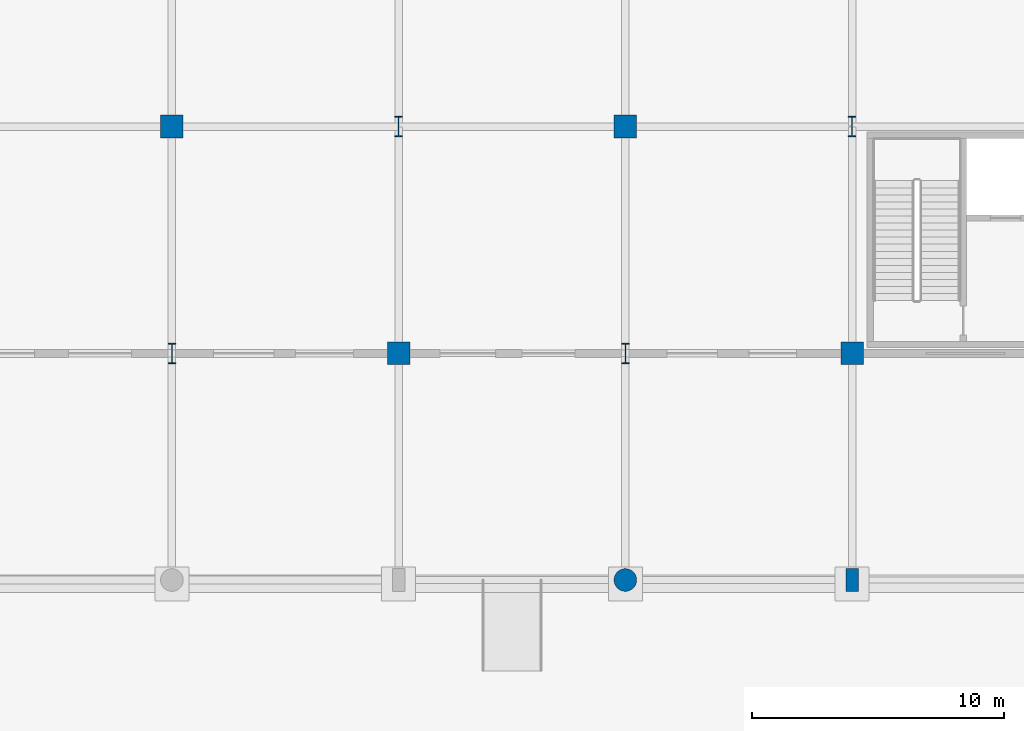
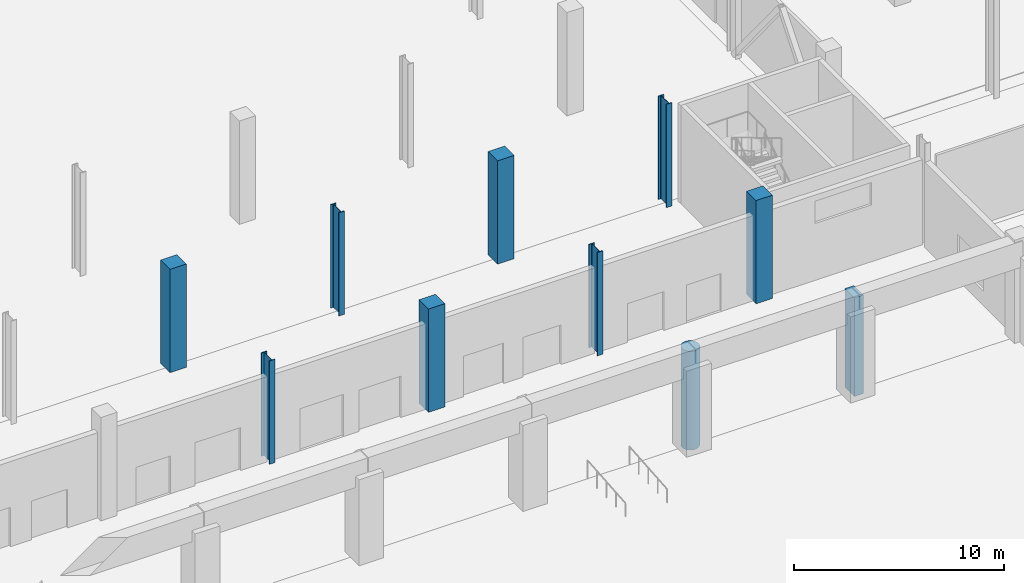
# One storey, part 4 of 58: 10 columns.
"""IFC4 building model written with IfcOpenShell, lengths in metres."""

from ifc_helpers import new_model, si_unit, direction, frame, origin, origin_2d, place, context, subcontext, project, spatial, rectangle, circle, i_section, extrude, material, material_profile, profile_set, type_object, element, save


model = new_model("IFC4")

# Units and contexts
model_context = context("Model", 3, precision=1e-05, world=origin(), true_north=direction((0.0, 1.0)))
body_context = subcontext(model_context, "Body", "Model", "MODEL_VIEW")
ifc_project = project(units=[si_unit("LENGTHUNIT", "METRE"), si_unit("AREAUNIT", "SQUARE_METRE"), si_unit("VOLUMEUNIT", "CUBIC_METRE"), si_unit("PLANEANGLEUNIT", "RADIAN"), si_unit("MASSUNIT", "GRAM", prefix="KILO")], contexts=[model_context])

# Site, building, storey
site_placement = place(None, origin())
site = spatial("IfcSite", under=ifc_project, at=site_placement, CompositionType="ELEMENT")
building_placement = place(site_placement, origin())
building = spatial("IfcBuilding", under=site, at=building_placement, Name="Barlavento Convention Centre", CompositionType="ELEMENT")
storey_placement = place(building_placement, origin())
storey = spatial("IfcBuildingStorey", under=building, at=storey_placement, Name="L00", CompositionType="ELEMENT", Elevation=0.0)

# Columns
ifc_material_1 = material(Name="Steel S460", Category="steel")
ifc_material_profile_1 = material_profile(ifc_material_1, i_section(OverallWidth=0.302978515625, OverallDepth=0.81396484375, WebThickness=0.02099609375, FlangeThickness=0.0400390625, FilletRadius=0.030029296875, at=origin_2d()), Name="HEM 800")
ifc_profile_set_1 = profile_set([ifc_material_profile_1], Name="Steel S460")
column_type_1 = type_object("IfcColumnType", Name="STR-COL-HEM800", PredefinedType="COLUMN", material=ifc_profile_set_1)
for number, where, z_axis, x_axis, name in (
    (1, (90.0, 45.0, 0.0), (0.0, 0.0, 1.0), (1.0, 0.0, 0.0), "L00 column SC02"),
    (2, (99.0, 54.0, 0.0), (0.0, 0.0, 1.0), (1.0, 0.0, 0.0), "L00 column SC02"),
    (3, (108.0, 45.0, 0.0), (0.0, 0.0, 1.0), (1.0, 0.0, 0.0), "L00 column SC02"),
    (4, (117.0, 54.0, 0.0), (0.0, 0.0, 1.0), (1.0, 0.0, 0.0), "L00 column SC02"),
):
    element("IfcColumn", number, at=place(storey_placement, frame(where, z_axis=z_axis, x_axis=x_axis)), inside=storey, type_object=column_type_1, Name=name, PredefinedType="COLUMN", context=body_context, shape_type="SweptSolid", body=[
        extrude(i_section(OverallWidth=0.302978515625, OverallDepth=0.81396484375, WebThickness=0.02099609375, FlangeThickness=0.0400390625, FilletRadius=0.030029296875, at=origin_2d()), origin(), (0.0, 0.0, 1.0), 6.0),
    ])
ifc_material_2 = material(Name="Concrete C40/50", Category="concrete")
ifc_material_profile_2 = material_profile(ifc_material_2, rectangle(XDim=0.5, YDim=0.89990234375, at=origin_2d()), Name="RC 500x900")
ifc_profile_set_2 = profile_set([ifc_material_profile_2], Name="Concrete C40/50")
column_type_2 = type_object("IfcColumnType", Name="STR-COL-PIL500X900", PredefinedType="PILASTER", material=ifc_profile_set_2)
column_1_placement = place(storey_placement, frame((117.0, 36.0, 0.0), z_axis=(0.0, 0.0, 1.0), x_axis=(1.0, 0.0, 0.0)))
element("IfcColumn", 5, at=column_1_placement, inside=storey, type_object=column_type_2, Name="L00 column CP02", PredefinedType="PILASTER", context=body_context, shape_type="SweptSolid", body=[
    extrude(rectangle(XDim=0.5, YDim=0.89990234375, at=origin_2d()), origin(), (0.0, 0.0, 1.0), 5.735107421875),
])
ifc_material_profile_3 = material_profile(ifc_material_2, circle(Radius=0.449951171875, at=origin_2d()), Name="RC DIA 900")
ifc_profile_set_3 = profile_set([ifc_material_profile_3], Name="Concrete C40/50")
column_type_3 = type_object("IfcColumnType", Name="STR-COL-PIL900", PredefinedType="PILASTER", material=ifc_profile_set_3)
column_2_placement = place(storey_placement, frame((108.0, 36.0, 0.0), z_axis=(0.0, 0.0, 1.0), x_axis=(1.0, 0.0, 0.0)))
element("IfcColumn", 6, at=column_2_placement, inside=storey, type_object=column_type_3, Name="L00 column CP01", PredefinedType="PILASTER", context=body_context, shape_type="SweptSolid", body=[
    extrude(circle(Radius=0.449951171875, at=origin_2d()), origin(), (0.0, 0.0, 1.0), 5.735107421875),
])
ifc_material_3 = material(Name="Concrete C50/60", Category="concrete")
ifc_material_profile_4 = material_profile(ifc_material_3, rectangle(XDim=0.89990234375, YDim=0.89990234375, at=origin_2d()), Name="RC 900x900")
ifc_profile_set_4 = profile_set([ifc_material_profile_4], Name="Concrete C50/60")
column_type_4 = type_object("IfcColumnType", Name="STR-COL-RC900", PredefinedType="COLUMN", material=ifc_profile_set_4)
for number, where, z_axis, x_axis, name in (
    (7, (90.0, 54.0, 0.0), (0.0, 0.0, 1.0), (1.0, 0.0, 0.0), "L00 column CC04"),
    (8, (99.0, 45.0, 0.0), (0.0, 0.0, 1.0), (1.0, 0.0, 0.0), "L00 column CC04"),
    (9, (108.0, 54.0, 0.0), (0.0, 0.0, 1.0), (1.0, 0.0, 0.0), "L00 column CC04"),
    (10, (117.0, 45.0, 0.0), (0.0, 0.0, 1.0), (1.0, 0.0, 0.0), "L00 column CC04"),
):
    element("IfcColumn", number, at=place(storey_placement, frame(where, z_axis=z_axis, x_axis=x_axis)), inside=storey, type_object=column_type_4, Name=name, PredefinedType="COLUMN", context=body_context, shape_type="SweptSolid", body=[
        extrude(rectangle(XDim=0.89990234375, YDim=0.89990234375, at=origin_2d()), origin(), (0.0, 0.0, 1.0), 6.0),
    ])

save(model, "model.ifc")
